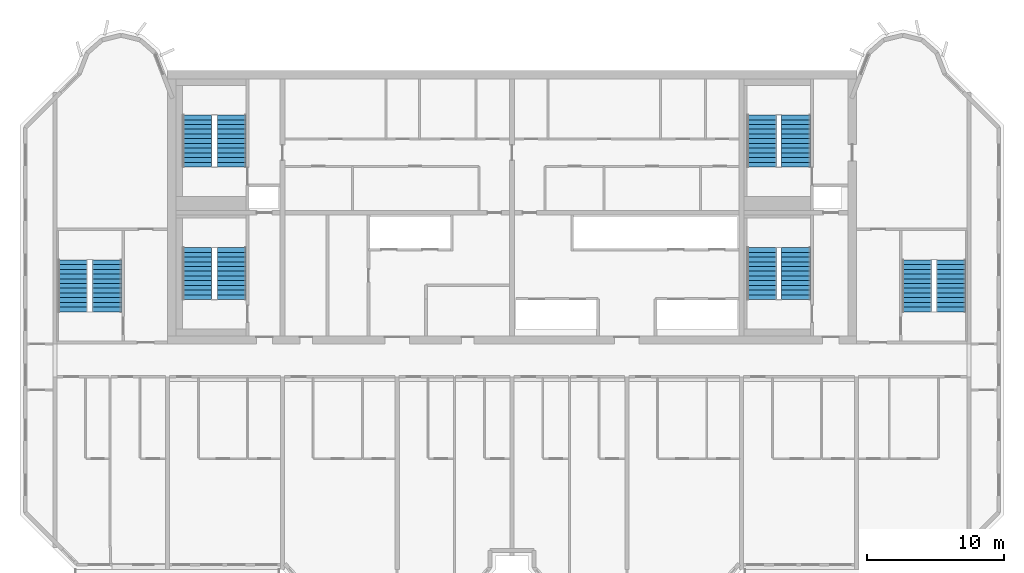
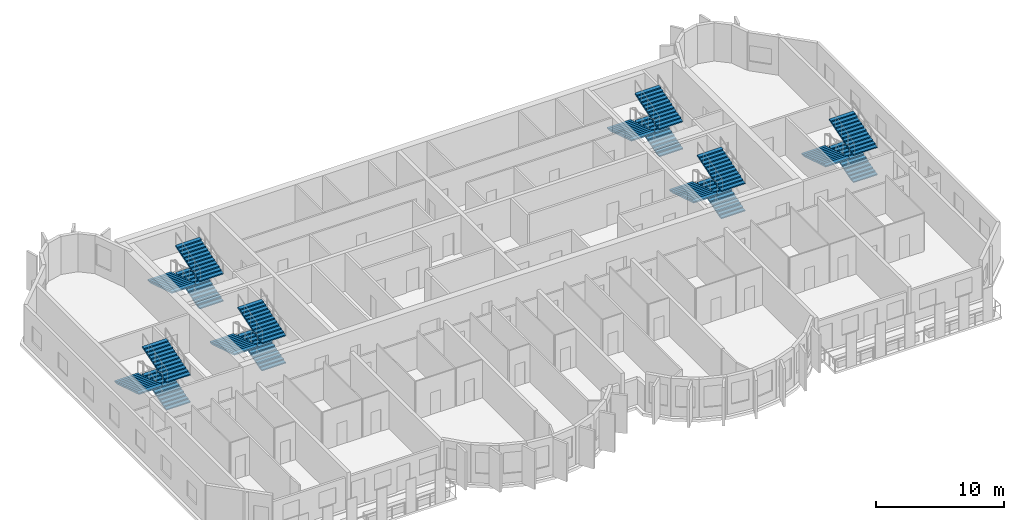
# One storey, part 9 of 11: 18 stair flights, 6 elements without a shape of their own.
"""IFC4 building model written with IfcOpenShell, lengths in metres."""

from ifc_helpers import new_model, si_unit, direction, frame, origin, place, context, subcontext, project, spatial, polyline, outline, extrude, source, transform, mapped, material, type_object, element, aggregate, save


model = new_model("IFC4")

# Units and contexts
model_context = context("Model", 3, precision=1e-05, world=origin(), true_north=direction((0.0, 1.0)))
body_context = subcontext(model_context, "Body", "Model", "MODEL_VIEW")
ifc_project = project(units=[si_unit("LENGTHUNIT", "METRE"), si_unit("AREAUNIT", "SQUARE_METRE"), si_unit("VOLUMEUNIT", "CUBIC_METRE"), si_unit("PLANEANGLEUNIT", "RADIAN"), si_unit("MASSUNIT", "GRAM", prefix="KILO")], contexts=[model_context])

# Site, building, storey
site_placement = place(None, origin())
site = spatial("IfcSite", under=ifc_project, at=site_placement, CompositionType="ELEMENT")
building_placement = place(site_placement, origin())
building = spatial("IfcBuilding", under=site, at=building_placement, Name="Vanashikhar Sky Hotel", CompositionType="ELEMENT")
storey_placement = place(building_placement, frame((0.0, 0.0, 260.800048828125)))
storey = spatial("IfcBuildingStorey", under=building, at=storey_placement, Name="L63", CompositionType="ELEMENT", Elevation=260.800048828125)

# Stair, stair flights
ifc_material = material(Name="Concrete M40", Category="concrete")
stair_type = type_object("IfcStairType", Name="Exit stair 2150", PredefinedType="DOUBLE_RETURN_STAIR", material=ifc_material)
stair_1_placement = place(storey_placement, origin())
stair_1 = element("IfcStair", 1, at=stair_1_placement, inside=storey, type_object=stair_type, Name="L63 Exit stair 1", PredefinedType="DOUBLE_RETURN_STAIR")
stair_flight_type = type_object("IfcStairFlightType", Name="Stair flight 2150", PredefinedType="STRAIGHT", material=ifc_material)
shared_shape = source(origin(), body_context, "Body", "SweptSolid", [
    extrude(outline(polyline([(0.0, 0.0), (0.0, 0.1083984375), (0.345458984375, 0.1083984375), (0.345458984375, 0.216552734375), (0.69091796875, 0.216552734375), (0.69091796875, 0.324951171875), (1.036376953125, 0.324951171875), (1.036376953125, 0.433349609375), (1.3818359375, 0.433349609375), (1.3818359375, 0.541748046875), (1.727294921875, 0.541748046875), (1.727294921875, 0.64990234375), (2.07275390625, 0.64990234375), (2.07275390625, 0.75830078125), (2.418212890625, 0.75830078125), (2.418212890625, 0.86669921875), (2.763671875, 0.86669921875), (2.763671875, 0.97509765625), (3.109130859375, 0.97509765625), (3.109130859375, 1.083251953125), (3.45458984375, 1.083251953125), (3.45458984375, 1.191650390625), (3.800048828125, 1.191650390625), (3.800048828125, 1.300048828125), (3.800048828125, 1.065673828125), (0.4013671875, 0.0), (0.0, 0.0)])), frame((0.0, 1.074951171875, 0.0), z_axis=(0.0, -1.0, 0.0), x_axis=(1.0, 0.0, 0.0)), (0.0, 0.0, 1.0), 2.14990234375),
])
stair_flight_1_placement = place(storey_placement, frame((29.875, 25.25, 0.0), z_axis=(0.0, 0.0, 1.0), x_axis=(0.0, 1.0, 0.0)))
stair_flight_1 = element("IfcStairFlight", 2, at=stair_flight_1_placement, type_object=stair_flight_type, Name="ST-C1 flight 1", NumberOfRisers=12, NumberOfTreads=11, PredefinedType="STRAIGHT", RiserHeight=0.108333333, TreadLength=0.345454545, context=body_context, shape_type="MappedRepresentation", body=[
    mapped(shared_shape, transform((0.0, 0.0, 0.0), scale=1.0)),
])
stair_flight_2_placement = place(storey_placement, frame((27.375, 29.050048828125, 1.300048828125), z_axis=(0.0, 0.0, 1.0), x_axis=(0.0, -1.0, 0.0)))
stair_flight_2 = element("IfcStairFlight", 3, at=stair_flight_2_placement, type_object=stair_flight_type, Name="ST-C1 flight 2", NumberOfRisers=12, NumberOfTreads=11, PredefinedType="STRAIGHT", RiserHeight=0.108333333, TreadLength=0.345454545, context=body_context, shape_type="MappedRepresentation", body=[
    mapped(shared_shape, transform((0.0, 0.0, 0.0), scale=1.0)),
])
stair_flight_3_placement = place(storey_placement, frame((29.875, 25.25, 2.599853515625), z_axis=(0.0, 0.0, 1.0), x_axis=(0.0, 1.0, 0.0)))
stair_flight_3 = element("IfcStairFlight", 4, at=stair_flight_3_placement, type_object=stair_flight_type, Name="ST-C1 flight 3", NumberOfRisers=12, NumberOfTreads=11, PredefinedType="STRAIGHT", RiserHeight=0.108333333, TreadLength=0.345454545, context=body_context, shape_type="MappedRepresentation", body=[
    mapped(shared_shape, transform((0.0, 0.0, 0.0), scale=1.0)),
])
aggregate(stair_1, [stair_flight_1, stair_flight_2, stair_flight_3])

stair_2_placement = place(storey_placement, origin())
stair_2 = element("IfcStair", 5, at=stair_2_placement, inside=storey, type_object=stair_type, Name="L63 Exit stair 2", PredefinedType="DOUBLE_RETURN_STAIR")
stair_flight_4_placement = place(storey_placement, frame((71.175048828125, 25.25, 0.0), z_axis=(0.0, 0.0, 1.0), x_axis=(0.0, 1.0, 0.0)))
stair_flight_4 = element("IfcStairFlight", 6, at=stair_flight_4_placement, type_object=stair_flight_type, Name="ST-C2 flight 1", NumberOfRisers=12, NumberOfTreads=11, PredefinedType="STRAIGHT", RiserHeight=0.108333333, TreadLength=0.345454545, context=body_context, shape_type="MappedRepresentation", body=[
    mapped(shared_shape, transform((0.0, 0.0, 0.0), scale=1.0)),
])
stair_flight_5_placement = place(storey_placement, frame((68.675048828125, 29.050048828125, 1.300048828125), z_axis=(0.0, 0.0, 1.0), x_axis=(0.0, -1.0, 0.0)))
stair_flight_5 = element("IfcStairFlight", 7, at=stair_flight_5_placement, type_object=stair_flight_type, Name="ST-C2 flight 2", NumberOfRisers=12, NumberOfTreads=11, PredefinedType="STRAIGHT", RiserHeight=0.108333333, TreadLength=0.345454545, context=body_context, shape_type="MappedRepresentation", body=[
    mapped(shared_shape, transform((0.0, 0.0, 0.0), scale=1.0)),
])
stair_flight_6_placement = place(storey_placement, frame((71.175048828125, 25.25, 2.599853515625), z_axis=(0.0, 0.0, 1.0), x_axis=(0.0, 1.0, 0.0)))
stair_flight_6 = element("IfcStairFlight", 8, at=stair_flight_6_placement, type_object=stair_flight_type, Name="ST-C2 flight 3", NumberOfRisers=12, NumberOfTreads=11, PredefinedType="STRAIGHT", RiserHeight=0.108333333, TreadLength=0.345454545, context=body_context, shape_type="MappedRepresentation", body=[
    mapped(shared_shape, transform((0.0, 0.0, 0.0), scale=1.0)),
])
aggregate(stair_2, [stair_flight_4, stair_flight_5, stair_flight_6])

stair_3_placement = place(storey_placement, origin())
stair_3 = element("IfcStair", 9, at=stair_3_placement, inside=storey, type_object=stair_type, Name="L63 Exit stair 3", PredefinedType="DOUBLE_RETURN_STAIR")
stair_flight_7_placement = place(storey_placement, frame((20.77490234375, 24.35009765625, 0.0), z_axis=(0.0, 0.0, 1.0), x_axis=(0.0, 1.0, 0.0)))
stair_flight_7 = element("IfcStairFlight", 10, at=stair_flight_7_placement, type_object=stair_flight_type, Name="ST-W flight 1", NumberOfRisers=12, NumberOfTreads=11, PredefinedType="STRAIGHT", RiserHeight=0.108333333, TreadLength=0.345454545, context=body_context, shape_type="MappedRepresentation", body=[
    mapped(shared_shape, transform((0.0, 0.0, 0.0), scale=1.0)),
])
stair_flight_8_placement = place(storey_placement, frame((18.27490234375, 28.14990234375, 1.300048828125), z_axis=(0.0, 0.0, 1.0), x_axis=(0.0, -1.0, 0.0)))
stair_flight_8 = element("IfcStairFlight", 11, at=stair_flight_8_placement, type_object=stair_flight_type, Name="ST-W flight 2", NumberOfRisers=12, NumberOfTreads=11, PredefinedType="STRAIGHT", RiserHeight=0.108333333, TreadLength=0.345454545, context=body_context, shape_type="MappedRepresentation", body=[
    mapped(shared_shape, transform((0.0, 0.0, 0.0), scale=1.0)),
])
stair_flight_9_placement = place(storey_placement, frame((20.77490234375, 24.35009765625, 2.599853515625), z_axis=(0.0, 0.0, 1.0), x_axis=(0.0, 1.0, 0.0)))
stair_flight_9 = element("IfcStairFlight", 12, at=stair_flight_9_placement, type_object=stair_flight_type, Name="ST-W flight 3", NumberOfRisers=12, NumberOfTreads=11, PredefinedType="STRAIGHT", RiserHeight=0.108333333, TreadLength=0.345454545, context=body_context, shape_type="MappedRepresentation", body=[
    mapped(shared_shape, transform((0.0, 0.0, 0.0), scale=1.0)),
])
aggregate(stair_3, [stair_flight_7, stair_flight_8, stair_flight_9])

stair_4_placement = place(storey_placement, origin())
stair_4 = element("IfcStair", 13, at=stair_4_placement, inside=storey, type_object=stair_type, Name="L63 Exit stair 4", PredefinedType="DOUBLE_RETURN_STAIR")
stair_flight_10_placement = place(storey_placement, frame((82.52490234375, 24.35009765625, 0.0), z_axis=(0.0, 0.0, 1.0), x_axis=(0.0, 1.0, 0.0)))
stair_flight_10 = element("IfcStairFlight", 14, at=stair_flight_10_placement, type_object=stair_flight_type, Name="ST-E flight 1", NumberOfRisers=12, NumberOfTreads=11, PredefinedType="STRAIGHT", RiserHeight=0.108333333, TreadLength=0.345454545, context=body_context, shape_type="MappedRepresentation", body=[
    mapped(shared_shape, transform((0.0, 0.0, 0.0), scale=1.0)),
])
stair_flight_11_placement = place(storey_placement, frame((80.02490234375, 28.14990234375, 1.300048828125), z_axis=(0.0, 0.0, 1.0), x_axis=(0.0, -1.0, 0.0)))
stair_flight_11 = element("IfcStairFlight", 15, at=stair_flight_11_placement, type_object=stair_flight_type, Name="ST-E flight 2", NumberOfRisers=12, NumberOfTreads=11, PredefinedType="STRAIGHT", RiserHeight=0.108333333, TreadLength=0.345454545, context=body_context, shape_type="MappedRepresentation", body=[
    mapped(shared_shape, transform((0.0, 0.0, 0.0), scale=1.0)),
])
stair_flight_12_placement = place(storey_placement, frame((82.52490234375, 24.35009765625, 2.599853515625), z_axis=(0.0, 0.0, 1.0), x_axis=(0.0, 1.0, 0.0)))
stair_flight_12 = element("IfcStairFlight", 16, at=stair_flight_12_placement, type_object=stair_flight_type, Name="ST-E flight 3", NumberOfRisers=12, NumberOfTreads=11, PredefinedType="STRAIGHT", RiserHeight=0.108333333, TreadLength=0.345454545, context=body_context, shape_type="MappedRepresentation", body=[
    mapped(shared_shape, transform((0.0, 0.0, 0.0), scale=1.0)),
])
aggregate(stair_4, [stair_flight_10, stair_flight_11, stair_flight_12])

stair_5_placement = place(storey_placement, origin())
stair_5 = element("IfcStair", 17, at=stair_5_placement, inside=storey, type_object=stair_type, Name="L63 Exit stair 5", PredefinedType="DOUBLE_RETURN_STAIR")
stair_flight_13_placement = place(storey_placement, frame((29.875, 34.949951171875, 0.0), z_axis=(0.0, 0.0, 1.0), x_axis=(0.0, 1.0, 0.0)))
stair_flight_13 = element("IfcStairFlight", 18, at=stair_flight_13_placement, type_object=stair_flight_type, Name="ST-C3 flight 1", NumberOfRisers=12, NumberOfTreads=11, PredefinedType="STRAIGHT", RiserHeight=0.108333333, TreadLength=0.345454545, context=body_context, shape_type="MappedRepresentation", body=[
    mapped(shared_shape, transform((0.0, 0.0, 0.0), scale=1.0)),
])
stair_flight_14_placement = place(storey_placement, frame((27.375, 38.75, 1.300048828125), z_axis=(0.0, 0.0, 1.0), x_axis=(0.0, -1.0, 0.0)))
stair_flight_14 = element("IfcStairFlight", 19, at=stair_flight_14_placement, type_object=stair_flight_type, Name="ST-C3 flight 2", NumberOfRisers=12, NumberOfTreads=11, PredefinedType="STRAIGHT", RiserHeight=0.108333333, TreadLength=0.345454545, context=body_context, shape_type="MappedRepresentation", body=[
    mapped(shared_shape, transform((0.0, 0.0, 0.0), scale=1.0)),
])
stair_flight_15_placement = place(storey_placement, frame((29.875, 34.949951171875, 2.599853515625), z_axis=(0.0, 0.0, 1.0), x_axis=(0.0, 1.0, 0.0)))
stair_flight_15 = element("IfcStairFlight", 20, at=stair_flight_15_placement, type_object=stair_flight_type, Name="ST-C3 flight 3", NumberOfRisers=12, NumberOfTreads=11, PredefinedType="STRAIGHT", RiserHeight=0.108333333, TreadLength=0.345454545, context=body_context, shape_type="MappedRepresentation", body=[
    mapped(shared_shape, transform((0.0, 0.0, 0.0), scale=1.0)),
])
aggregate(stair_5, [stair_flight_13, stair_flight_14, stair_flight_15])

stair_6_placement = place(storey_placement, origin())
stair_6 = element("IfcStair", 21, at=stair_6_placement, inside=storey, type_object=stair_type, Name="L63 Exit stair 6", PredefinedType="DOUBLE_RETURN_STAIR")
stair_flight_16_placement = place(storey_placement, frame((71.175048828125, 34.949951171875, 0.0), z_axis=(0.0, 0.0, 1.0), x_axis=(0.0, 1.0, 0.0)))
stair_flight_16 = element("IfcStairFlight", 22, at=stair_flight_16_placement, type_object=stair_flight_type, Name="ST-C4 flight 1", NumberOfRisers=12, NumberOfTreads=11, PredefinedType="STRAIGHT", RiserHeight=0.108333333, TreadLength=0.345454545, context=body_context, shape_type="MappedRepresentation", body=[
    mapped(shared_shape, transform((0.0, 0.0, 0.0), scale=1.0)),
])
stair_flight_17_placement = place(storey_placement, frame((68.675048828125, 38.75, 1.300048828125), z_axis=(0.0, 0.0, 1.0), x_axis=(0.0, -1.0, 0.0)))
stair_flight_17 = element("IfcStairFlight", 23, at=stair_flight_17_placement, type_object=stair_flight_type, Name="ST-C4 flight 2", NumberOfRisers=12, NumberOfTreads=11, PredefinedType="STRAIGHT", RiserHeight=0.108333333, TreadLength=0.345454545, context=body_context, shape_type="MappedRepresentation", body=[
    mapped(shared_shape, transform((0.0, 0.0, 0.0), scale=1.0)),
])
stair_flight_18_placement = place(storey_placement, frame((71.175048828125, 34.949951171875, 2.599853515625), z_axis=(0.0, 0.0, 1.0), x_axis=(0.0, 1.0, 0.0)))
stair_flight_18 = element("IfcStairFlight", 24, at=stair_flight_18_placement, type_object=stair_flight_type, Name="ST-C4 flight 3", NumberOfRisers=12, NumberOfTreads=11, PredefinedType="STRAIGHT", RiserHeight=0.108333333, TreadLength=0.345454545, context=body_context, shape_type="MappedRepresentation", body=[
    mapped(shared_shape, transform((0.0, 0.0, 0.0), scale=1.0)),
])
aggregate(stair_6, [stair_flight_16, stair_flight_17, stair_flight_18])

save(model, "model.ifc")
